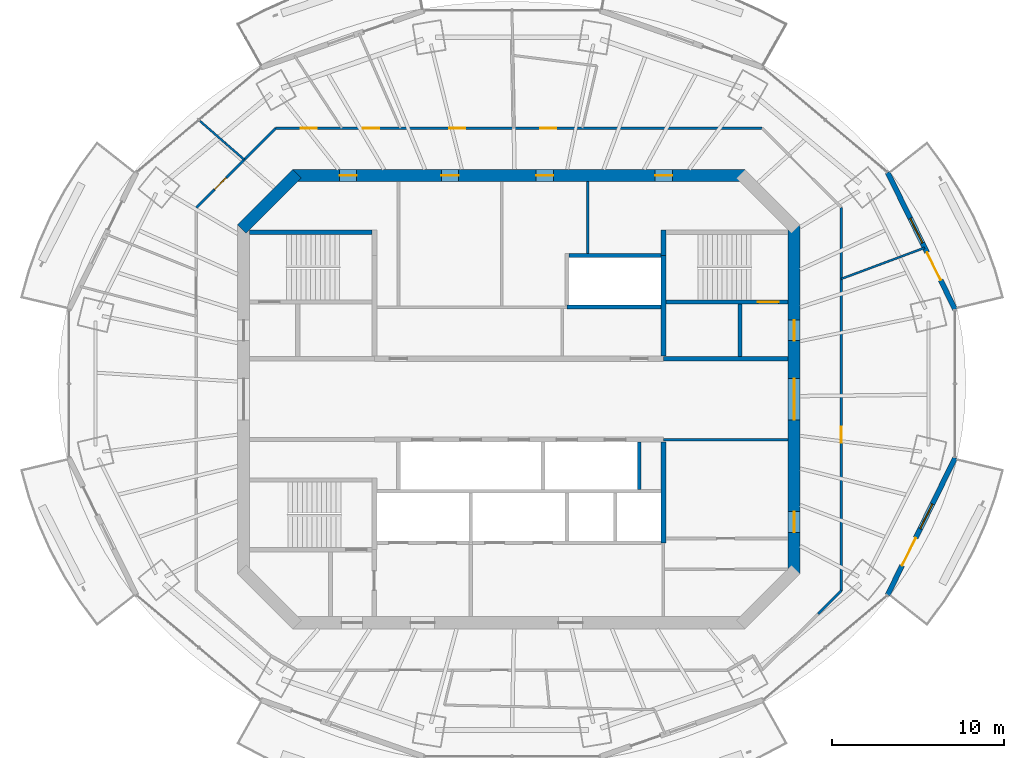
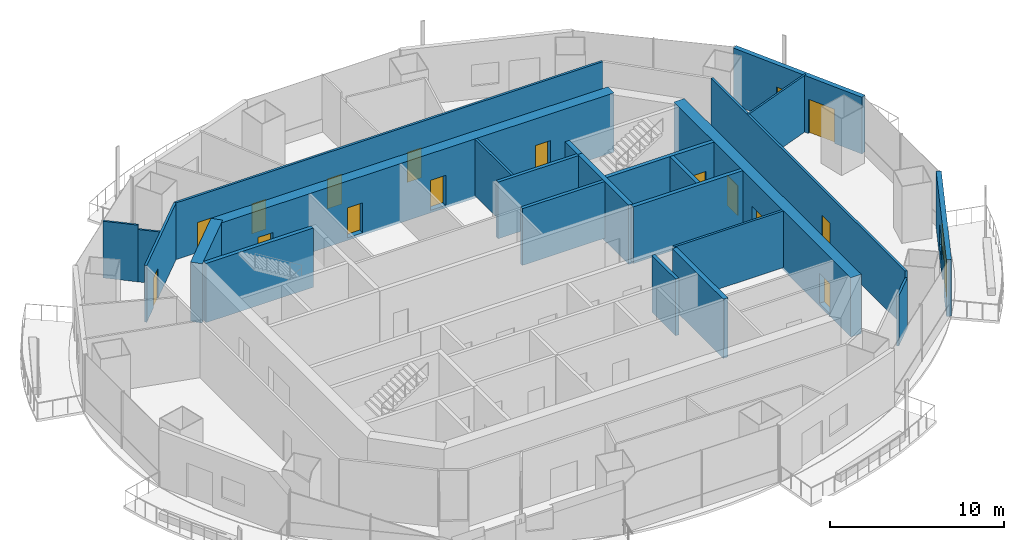
# One storey, part 10 of 16: 24 walls, 16 doors, 2 windows, 18 openings.
"""IFC4 building model written with IfcOpenShell, lengths in metres."""

from ifc_helpers import new_model, si_unit, direction, frame, frame_2d, origin, place, context, subcontext, project, spatial, rectangle, extrude, material, layer, layer_set, type_object, element, fill, save


model = new_model("IFC4")

# Units and contexts
model_context = context("Model", 3, precision=1e-05, world=origin(), true_north=direction((0.0, 1.0)))
body_context = subcontext(model_context, "Body", "Model", "MODEL_VIEW")
ifc_project = project(units=[si_unit("LENGTHUNIT", "METRE"), si_unit("AREAUNIT", "SQUARE_METRE"), si_unit("VOLUMEUNIT", "CUBIC_METRE"), si_unit("PLANEANGLEUNIT", "RADIAN"), si_unit("MASSUNIT", "GRAM", prefix="KILO")], contexts=[model_context])

# Site, building, storey
site_placement = place(None, origin())
site = spatial("IfcSite", under=ifc_project, at=site_placement, CompositionType="ELEMENT")
building_placement = place(site_placement, origin())
building = spatial("IfcBuilding", under=site, at=building_placement, Name="Marenthal Gate Tower", CompositionType="ELEMENT")
storey_placement = place(building_placement, frame((0.0, 0.0, 367.5)))
storey = spatial("IfcBuildingStorey", under=building, at=storey_placement, Name="L83", CompositionType="ELEMENT", Elevation=367.5)

# Wall, openings, doors
ifc_material_1 = material(Name="Concrete 60 MPa", Category="concrete")
ifc_layer_1 = layer(ifc_material_1, 0.699951171875)
ifc_layer_set_1 = layer_set([ifc_layer_1], Name="Core shear wall 700")
wall_type_1 = type_object("IfcWallType", Name="Core shear wall 700", PredefinedType="SHEAR", material=ifc_layer_set_1)
wall_1_placement = place(storey_placement, frame((16.0, -10.14501953125, -0.179931640625), z_axis=(0.0, 0.0, 1.0), x_axis=(0.0, 1.0, 0.0)))
wall_1 = element("IfcWall", 1, at=wall_1_placement, inside=storey, type_object=wall_type_1, Name="Core wall 02", PredefinedType="SHEAR", context=body_context, shape_type="SweptSolid", body=[
    extrude(rectangle(XDim=20.2900390625, YDim=0.699951171875, at=frame_2d((10.14501953125, 0.0))), origin(), (0.0, 0.0, 1.0), 4.14990234375),
])
opening_1_placement = place(wall_1_placement, frame((8.945068359375, 0.0, 0.179931640625)))
opening_1 = element("IfcOpeningElement", 2, at=opening_1_placement, cuts=wall_1, Name="Opening D003.02", PredefinedType="OPENING", context=body_context, shape_type="SweptSolid", body=[
    extrude(rectangle(XDim=2.39990234375, YDim=2.10009765625, at=frame_2d((1.199951171875, 1.050048828125))), frame((0.0, 0.35986328125, 0.0), z_axis=(0.0, -1.0, 0.0), x_axis=(1.0, 0.0, 0.0)), (0.0, 0.0, 1.0), 0.719970703125),
])
opening_2_placement = place(wall_1_placement, frame((13.544921875, 0.0, 0.179931640625)))
opening_2 = element("IfcOpeningElement", 3, at=opening_2_placement, cuts=wall_1, Name="Opening D001.05", PredefinedType="OPENING", context=body_context, shape_type="SweptSolid", body=[
    extrude(rectangle(XDim=1.199951171875, YDim=2.10009765625, at=frame_2d((0.60009765625, 1.050048828125))), frame((0.0, 0.35986328125, 0.0), z_axis=(0.0, -1.0, 0.0), x_axis=(1.0, 0.0, 0.0)), (0.0, 0.0, 1.0), 0.719970703125),
])
opening_3_placement = place(wall_1_placement, frame((2.39990234375, 0.0, 0.179931640625)))
opening_3 = element("IfcOpeningElement", 4, at=opening_3_placement, cuts=wall_1, Name="Opening D006.01", PredefinedType="OPENING", context=body_context, shape_type="SweptSolid", body=[
    extrude(rectangle(XDim=1.199951171875, YDim=2.10009765625, at=frame_2d((0.60009765625, 1.050048828125))), frame((0.0, 0.35986328125, 0.0), z_axis=(0.0, -1.0, 0.0), x_axis=(1.0, 0.0, 0.0)), (0.0, 0.0, 1.0), 0.719970703125),
])
ifc_material_2 = material(Name="Steel fire door", Category="steel")
door_type_1 = type_object("IfcDoorType", Name="Double fire door FD 45 2400 x 2100", OperationType="DOUBLE_DOOR_SINGLE_SWING", PredefinedType="DOOR", material=ifc_material_2)
door_1_placement = place(opening_1_placement, origin())
door_1 = element("IfcDoor", 5, at=door_1_placement, inside=storey, type_object=door_type_1, Name="Door D003.02", OperationType="DOUBLE_DOOR_SINGLE_SWING", OverallHeight=2.10009765625, OverallWidth=2.39990234375, PredefinedType="DOOR", context=body_context, shape_type="SweptSolid", body=[
    extrude(rectangle(XDim=2.39990234375, YDim=2.10009765625, at=frame_2d((1.199951171875, 1.050048828125))), frame((0.0, 0.02490234375, 0.0), z_axis=(0.0, -1.0, 0.0), x_axis=(1.0, 0.0, 0.0)), (0.0, 0.0, 1.0), 0.050048828125),
])
fill(opening_1, door_1)
ifc_material_3 = material(Name="Steel fire door", Category="steel")
door_type_2 = type_object("IfcDoorType", Name="Fire door FD 45 1200 x 2100", OperationType="NOTDEFINED", PredefinedType="DOOR", material=ifc_material_3)
door_2_placement = place(opening_3_placement, origin())
door_2 = element("IfcDoor", 6, at=door_2_placement, inside=storey, type_object=door_type_2, Name="Door D006.01", OperationType="SINGLE_SWING_RIGHT", OverallHeight=2.10009765625, OverallWidth=1.199951171875, PredefinedType="DOOR", context=body_context, shape_type="SweptSolid", body=[
    extrude(rectangle(XDim=1.199951171875, YDim=2.10009765625, at=frame_2d((0.60009765625, 1.050048828125))), frame((0.0, 0.02490234375, 0.0), z_axis=(0.0, -1.0, 0.0), x_axis=(1.0, 0.0, 0.0)), (0.0, 0.0, 1.0), 0.050048828125),
])
fill(opening_3, door_2)
ifc_material_4 = material(Name="Steel fire door", Category="steel")
door_type_3 = type_object("IfcDoorType", Name="Fire door FD 90 1200 x 2100", OperationType="NOTDEFINED", PredefinedType="DOOR", material=ifc_material_4)
door_3_placement = place(opening_2_placement, origin())
door_3 = element("IfcDoor", 7, at=door_3_placement, inside=storey, type_object=door_type_3, Name="Door D001.05", OperationType="SINGLE_SWING_RIGHT", OverallHeight=2.10009765625, OverallWidth=1.199951171875, PredefinedType="DOOR", context=body_context, shape_type="SweptSolid", body=[
    extrude(rectangle(XDim=1.199951171875, YDim=2.10009765625, at=frame_2d((0.60009765625, 1.050048828125))), frame((0.0, 0.02490234375, 0.0), z_axis=(0.0, -1.0, 0.0), x_axis=(1.0, 0.0, 0.0)), (0.0, 0.0, 1.0), 0.050048828125),
])
fill(opening_2, door_3)

wall_2_placement = place(storey_placement, frame((13.14501953125, 13.0, -0.179931640625), z_axis=(0.0, 0.0, 1.0), x_axis=(-1.0, 0.0, 0.0)))
wall_2 = element("IfcWall", 8, at=wall_2_placement, inside=storey, type_object=wall_type_1, Name="Core wall 04", PredefinedType="SHEAR", context=body_context, shape_type="SweptSolid", body=[
    extrude(rectangle(XDim=26.2900390625, YDim=0.699951171875, at=frame_2d((13.14501953125, 0.0))), origin(), (0.0, 0.0, 1.0), 4.14990234375),
])
opening_4_placement = place(wall_2_placement, frame((22.57275390625, 0.0, 0.179931640625)))
opening_4 = element("IfcOpeningElement", 9, at=opening_4_placement, cuts=wall_2, Name="Opening D005.03", PredefinedType="OPENING", context=body_context, shape_type="SweptSolid", body=[
    extrude(rectangle(XDim=1.0, YDim=2.10009765625, at=frame_2d((0.5, 1.050048828125))), frame((0.0, 0.35986328125, 0.0), z_axis=(0.0, -1.0, 0.0), x_axis=(1.0, 0.0, 0.0)), (0.0, 0.0, 1.0), 0.719970703125),
])
opening_5_placement = place(wall_2_placement, frame((16.64501953125, 0.0, 0.179931640625)))
opening_5 = element("IfcOpeningElement", 10, at=opening_5_placement, cuts=wall_2, Name="Opening D005.04", PredefinedType="OPENING", context=body_context, shape_type="SweptSolid", body=[
    extrude(rectangle(XDim=1.0, YDim=2.10009765625, at=frame_2d((0.5, 1.050048828125))), frame((0.0, 0.35986328125, 0.0), z_axis=(0.0, -1.0, 0.0), x_axis=(1.0, 0.0, 0.0)), (0.0, 0.0, 1.0), 0.719970703125),
])
opening_6_placement = place(wall_2_placement, frame((11.14501953125, 0.0, 0.179931640625)))
opening_6 = element("IfcOpeningElement", 11, at=opening_6_placement, cuts=wall_2, Name="Opening D005.05", PredefinedType="OPENING", context=body_context, shape_type="SweptSolid", body=[
    extrude(rectangle(XDim=1.0, YDim=2.10009765625, at=frame_2d((0.5, 1.050048828125))), frame((0.0, 0.35986328125, 0.0), z_axis=(0.0, -1.0, 0.0), x_axis=(1.0, 0.0, 0.0)), (0.0, 0.0, 1.0), 0.719970703125),
])
opening_7_placement = place(wall_2_placement, frame((4.21728515625, 0.0, 0.179931640625)))
opening_7 = element("IfcOpeningElement", 12, at=opening_7_placement, cuts=wall_2, Name="Opening D005.06", PredefinedType="OPENING", context=body_context, shape_type="SweptSolid", body=[
    extrude(rectangle(XDim=1.0, YDim=2.10009765625, at=frame_2d((0.5, 1.050048828125))), frame((0.0, 0.35986328125, 0.0), z_axis=(0.0, -1.0, 0.0), x_axis=(1.0, 0.0, 0.0)), (0.0, 0.0, 1.0), 0.719970703125),
])
ifc_material_5 = material(Name="Steel fire door", Category="steel")
door_type_4 = type_object("IfcDoorType", Name="Fire door FD 45 1000 x 2100", OperationType="NOTDEFINED", PredefinedType="DOOR", material=ifc_material_5)
door_4_placement = place(opening_4_placement, origin())
door_4 = element("IfcDoor", 13, at=door_4_placement, inside=storey, type_object=door_type_4, Name="Door D005.03", OperationType="SINGLE_SWING_RIGHT", OverallHeight=2.10009765625, OverallWidth=1.0, PredefinedType="DOOR", context=body_context, shape_type="SweptSolid", body=[
    extrude(rectangle(XDim=1.0, YDim=2.10009765625, at=frame_2d((0.5, 1.050048828125))), frame((0.0, 0.02490234375, 0.0), z_axis=(0.0, -1.0, 0.0), x_axis=(1.0, 0.0, 0.0)), (0.0, 0.0, 1.0), 0.050048828125),
])
fill(opening_4, door_4)
door_5_placement = place(opening_5_placement, origin())
door_5 = element("IfcDoor", 14, at=door_5_placement, inside=storey, type_object=door_type_4, Name="Door D005.04", OperationType="SINGLE_SWING_RIGHT", OverallHeight=2.10009765625, OverallWidth=1.0, PredefinedType="DOOR", context=body_context, shape_type="SweptSolid", body=[
    extrude(rectangle(XDim=1.0, YDim=2.10009765625, at=frame_2d((0.5, 1.050048828125))), frame((0.0, 0.02490234375, 0.0), z_axis=(0.0, -1.0, 0.0), x_axis=(1.0, 0.0, 0.0)), (0.0, 0.0, 1.0), 0.050048828125),
])
fill(opening_5, door_5)
door_6_placement = place(opening_6_placement, origin())
door_6 = element("IfcDoor", 15, at=door_6_placement, inside=storey, type_object=door_type_4, Name="Door D005.05", OperationType="SINGLE_SWING_RIGHT", OverallHeight=2.10009765625, OverallWidth=1.0, PredefinedType="DOOR", context=body_context, shape_type="SweptSolid", body=[
    extrude(rectangle(XDim=1.0, YDim=2.10009765625, at=frame_2d((0.5, 1.050048828125))), frame((0.0, 0.02490234375, 0.0), z_axis=(0.0, -1.0, 0.0), x_axis=(1.0, 0.0, 0.0)), (0.0, 0.0, 1.0), 0.050048828125),
])
fill(opening_6, door_6)
door_7_placement = place(opening_7_placement, origin())
door_7 = element("IfcDoor", 16, at=door_7_placement, inside=storey, type_object=door_type_4, Name="Door D005.06", OperationType="SINGLE_SWING_RIGHT", OverallHeight=2.10009765625, OverallWidth=1.0, PredefinedType="DOOR", context=body_context, shape_type="SweptSolid", body=[
    extrude(rectangle(XDim=1.0, YDim=2.10009765625, at=frame_2d((0.5, 1.050048828125))), frame((0.0, 0.02490234375, 0.0), z_axis=(0.0, -1.0, 0.0), x_axis=(1.0, 0.0, 0.0)), (0.0, 0.0, 1.0), 0.050048828125),
])
fill(opening_7, door_7)

# Walls
wall_3_placement = place(storey_placement, frame((-12.8974609375, 13.1025390625, -0.179931640625), z_axis=(0.0, 0.0, 1.0), x_axis=(-0.707106781187, -0.707106781187, 0.0)))
element("IfcWall", 17, at=wall_3_placement, inside=storey, type_object=wall_type_1, Name="Core wall 05", PredefinedType="SHEAR", context=body_context, shape_type="SweptSolid", body=[
    extrude(rectangle(XDim=4.53271484375, YDim=0.699951171875, at=frame_2d((2.266357421875, 0.0))), origin(), (0.0, 0.0, 1.0), 4.14990234375),
])
ifc_material_6 = material(Name="Concrete 50 MPa", Category="concrete")
ifc_layer_2 = layer(ifc_material_6, 0.300048828125)
ifc_layer_set_2 = layer_set([ifc_layer_2], Name="Hoistway shear wall 300")
wall_type_2 = type_object("IfcWallType", Name="Hoistway shear wall 300", PredefinedType="SHEAR", material=ifc_layer_set_2)
for number, where, z_axis, x_axis, name in (
    (18, (8.39990234375, -8.35009765625, -0.179931640625), (0.0, 0.0, 1.0), (0.0, 1.0, 0.0), "Hoistway wall 48"),
    (19, (8.39990234375, 2.5, -0.179931640625), (0.0, 0.0, 1.0), (0.0, 1.0, 0.0), "Hoistway wall 49"),
):
    element("IfcWall", number, at=place(storey_placement, frame(where, z_axis=z_axis, x_axis=x_axis)), inside=storey, type_object=wall_type_2, Name=name, PredefinedType="SHEAR", context=body_context, shape_type="SweptSolid", body=[
        extrude(rectangle(XDim=5.85009765625, YDim=0.300048828125, at=frame_2d((2.925048828125, 0.0))), origin(), (0.0, 0.0, 1.0), 4.14990234375),
    ])
ifc_material_7 = material(Name="Concrete 40 MPa", Category="concrete")
ifc_layer_3 = layer(ifc_material_7, 0.219970703125)
ifc_layer_set_3 = layer_set([ifc_layer_3], Name="Hoistway wall 220")
wall_type_3 = type_object("IfcWallType", Name="Hoistway wall 220", PredefinedType="STANDARD", material=ifc_layer_set_3)
wall_4_placement = place(storey_placement, frame((2.800048828125, 5.35009765625, 0.0), z_axis=(0.0, 0.0, 1.0), x_axis=(1.0, 0.0, 0.0)))
element("IfcWall", 20, at=wall_4_placement, inside=storey, type_object=wall_type_3, Name="Hoistway wall 23", PredefinedType="STANDARD", context=body_context, shape_type="SweptSolid", body=[
    extrude(rectangle(XDim=5.449951171875, YDim=0.219970703125, at=frame_2d((2.72509765625, 0.0))), origin(), (0.0, 0.0, 1.0), 3.969970703125),
])
wall_5_placement = place(storey_placement, frame((2.909912109375, 8.35009765625, 0.0), z_axis=(0.0, 0.0, 1.0), x_axis=(1.0, 0.0, 0.0)))
element("IfcWall", 21, at=wall_5_placement, inside=storey, type_object=wall_type_3, Name="Hoistway wall 26", PredefinedType="STANDARD", context=body_context, shape_type="SweptSolid", body=[
    extrude(rectangle(XDim=5.340087890625, YDim=0.219970703125, at=frame_2d((2.669921875, 0.0))), origin(), (0.0, 0.0, 1.0), 3.969970703125),
])
wall_6_placement = place(storey_placement, frame((7.0, -5.239990234375, 0.0), z_axis=(0.0, 0.0, 1.0), x_axis=(0.0, 1.0, 0.0)))
element("IfcWall", 22, at=wall_6_placement, inside=storey, type_object=wall_type_3, Name="Hoistway wall 46", PredefinedType="STANDARD", context=body_context, shape_type="SweptSolid", body=[
    extrude(rectangle(XDim=2.739990234375, YDim=0.219970703125, at=frame_2d((1.3701171875, 0.0))), origin(), (0.0, 0.0, 1.0), 3.969970703125),
])
ifc_material_8 = material(Name="Gypsum board on steel studs", Category="steel")
ifc_layer_4 = layer(ifc_material_8, 0.1201171875)
ifc_layer_set_4 = layer_set([ifc_layer_4], Name="Partition 120")
wall_type_4 = type_object("IfcWallType", Name="Partition 120", PredefinedType="PARTITIONING", material=ifc_layer_set_4)
wall_7_placement = place(storey_placement, frame((-15.965576171875, 13.923583984375, 0.0), z_axis=(0.0, 0.0, 1.0), x_axis=(-0.753703358868, 0.657214764617, 0.0)))
element("IfcWall", 23, at=wall_7_placement, inside=storey, type_object=wall_type_4, Name="Partition wall 56", PredefinedType="PARTITIONING", context=body_context, shape_type="SweptSolid", body=[
    extrude(rectangle(XDim=1.47509765625, YDim=0.1201171875, at=frame_2d((0.737548828125, 0.0))), origin(), (0.0, 0.0, 1.0), 3.66796875),
])
wall_8_placement = place(storey_placement, frame((-17.077392578125, 14.89306640625, 0.0), z_axis=(0.0, 0.0, 1.0), x_axis=(-0.753620755877, 0.6573094829, 0.0)))
element("IfcWall", 24, at=wall_8_placement, inside=storey, type_object=wall_type_4, Name="Partition wall 77", PredefinedType="PARTITIONING", context=body_context, shape_type="SweptSolid", body=[
    extrude(rectangle(XDim=2.04052734375, YDim=0.1201171875, at=frame_2d((1.020263671875, 0.0))), origin(), (0.0, 0.0, 1.0), 3.969970703125),
])
wall_9_placement = place(storey_placement, frame((18.75, 6.995361328125, 0.0), z_axis=(0.0, 0.0, 1.0), x_axis=(0.936919672461, 0.349544742994, 0.0)))
element("IfcWall", 25, at=wall_9_placement, inside=storey, type_object=wall_type_4, Name="Partition wall 75", PredefinedType="PARTITIONING", context=body_context, shape_type="SweptSolid", body=[
    extrude(rectangle(XDim=5.170654296875, YDim=0.1201171875, at=frame_2d((2.58544921875, 0.0))), origin(), (0.0, 0.0, 1.0), 3.969970703125),
])
ifc_material_9 = material(Name="Gypsum board on steel studs", Category="steel")
ifc_layer_5 = layer(ifc_material_9, 0.14990234375)
ifc_layer_set_5 = layer_set([ifc_layer_5], Name="Partition 150")
wall_type_5 = type_object("IfcWallType", Name="Partition 150", PredefinedType="PARTITIONING", material=ifc_layer_set_5)
wall_10_placement = place(storey_placement, frame((8.39990234375, -2.35009765625, 0.0), z_axis=(0.0, 0.0, 1.0), x_axis=(1.0, 0.0, 0.0)))
element("IfcWall", 26, at=wall_10_placement, inside=storey, type_object=wall_type_5, Name="Partition wall 18", PredefinedType="PARTITIONING", context=body_context, shape_type="SweptSolid", body=[
    extrude(rectangle(XDim=7.25, YDim=0.14990234375, at=frame_2d((3.625, 0.0))), origin(), (0.0, 0.0, 1.0), 3.969970703125),
])
wall_11_placement = place(storey_placement, frame((4.0, 8.4599609375, 0.0), z_axis=(0.0, 0.0, 1.0), x_axis=(0.0, 1.0, 0.0)))
element("IfcWall", 27, at=wall_11_placement, inside=storey, type_object=wall_type_5, Name="Partition wall 44", PredefinedType="PARTITIONING", context=body_context, shape_type="SweptSolid", body=[
    extrude(rectangle(XDim=4.18994140625, YDim=0.14990234375, at=frame_2d((2.094970703125, 0.0))), origin(), (0.0, 0.0, 1.0), 3.969970703125),
])

# Wall, opening, door
wall_12_placement = place(storey_placement, frame((-18.75, 11.13916015625, 0.0), z_axis=(0.0, 0.0, 1.0), x_axis=(0.707106781187, 0.707106781187, 0.0)))
wall_12 = element("IfcWall", 28, at=wall_12_placement, inside=storey, type_object=wall_type_5, Name="Partition wall 55", PredefinedType="PARTITIONING", context=body_context, shape_type="SweptSolid", body=[
    extrude(rectangle(XDim=6.520751953125, YDim=0.14990234375, at=frame_2d((3.26025390625, 0.0))), origin(), (0.0, 0.0, 1.0), 3.969970703125),
])
opening_8_placement = place(wall_12_placement, frame((1.493896484375, 0.0, 0.0)))
opening_8 = element("IfcOpeningElement", 29, at=opening_8_placement, cuts=wall_12, Name="Opening D016.05", PredefinedType="OPENING", context=body_context, shape_type="SweptSolid", body=[
    extrude(rectangle(XDim=0.949951171875, YDim=2.10009765625, at=frame_2d((0.47509765625, 1.050048828125))), frame((0.0, 0.0849609375, 0.0), z_axis=(0.0, -1.0, 0.0), x_axis=(1.0, 0.0, 0.0)), (0.0, 0.0, 1.0), 0.169921875),
])
ifc_material_10 = material(Name="Timber door", Category="wood")
door_type_5 = type_object("IfcDoorType", Name="Door 950 x 2100", OperationType="NOTDEFINED", PredefinedType="DOOR", material=ifc_material_10)
door_8_placement = place(opening_8_placement, origin())
door_8 = element("IfcDoor", 30, at=door_8_placement, inside=storey, type_object=door_type_5, Name="Door D016.05", OperationType="SINGLE_SWING_RIGHT", OverallHeight=2.10009765625, OverallWidth=0.949951171875, PredefinedType="DOOR", context=body_context, shape_type="SweptSolid", body=[
    extrude(rectangle(XDim=0.949951171875, YDim=2.10009765625, at=frame_2d((0.47509765625, 1.050048828125))), frame((0.0, 0.02490234375, 0.0), z_axis=(0.0, -1.0, 0.0), x_axis=(1.0, 0.0, 0.0)), (0.0, 0.0, 1.0), 0.050048828125),
])
fill(opening_8, door_8)

# Wall, openings, doors
wall_13_placement = place(storey_placement, frame((-14.13916015625, 15.75, 0.0), z_axis=(0.0, 0.0, 1.0), x_axis=(1.0, 0.0, 0.0)))
wall_13 = element("IfcWall", 31, at=wall_13_placement, inside=storey, type_object=wall_type_5, Name="Partition wall 58", PredefinedType="PARTITIONING", context=body_context, shape_type="SweptSolid", body=[
    extrude(rectangle(XDim=28.2783203125, YDim=0.14990234375, at=frame_2d((14.13916015625, 0.0))), origin(), (0.0, 0.0, 1.0), 3.969970703125),
])
opening_9_placement = place(wall_13_placement, frame((15.3701171875, 0.0, 0.0)))
opening_9 = element("IfcOpeningElement", 32, at=opening_9_placement, cuts=wall_13, Name="Opening D016.01", PredefinedType="OPENING", context=body_context, shape_type="SweptSolid", body=[
    extrude(rectangle(XDim=0.949951171875, YDim=2.10009765625, at=frame_2d((0.47509765625, 1.050048828125))), frame((0.0, 0.0849609375, 0.0), z_axis=(0.0, -1.0, 0.0), x_axis=(1.0, 0.0, 0.0)), (0.0, 0.0, 1.0), 0.169921875),
])
opening_10_placement = place(wall_13_placement, frame((10.0810546875, 0.0, 0.0)))
opening_10 = element("IfcOpeningElement", 33, at=opening_10_placement, cuts=wall_13, Name="Opening D016.02", PredefinedType="OPENING", context=body_context, shape_type="SweptSolid", body=[
    extrude(rectangle(XDim=0.949951171875, YDim=2.10009765625, at=frame_2d((0.47509765625, 1.050048828125))), frame((0.0, 0.0849609375, 0.0), z_axis=(0.0, -1.0, 0.0), x_axis=(1.0, 0.0, 0.0)), (0.0, 0.0, 1.0), 0.169921875),
])
opening_11_placement = place(wall_13_placement, frame((5.075927734375, 0.0, 0.0)))
opening_11 = element("IfcOpeningElement", 34, at=opening_11_placement, cuts=wall_13, Name="Opening D016.03", PredefinedType="OPENING", context=body_context, shape_type="SweptSolid", body=[
    extrude(rectangle(XDim=0.949951171875, YDim=2.10009765625, at=frame_2d((0.47509765625, 1.050048828125))), frame((0.0, 0.0849609375, 0.0), z_axis=(0.0, -1.0, 0.0), x_axis=(1.0, 0.0, 0.0)), (0.0, 0.0, 1.0), 0.169921875),
])
opening_12_placement = place(wall_13_placement, frame((1.449951171875, 0.0, 0.0)))
opening_12 = element("IfcOpeningElement", 35, at=opening_12_placement, cuts=wall_13, Name="Opening D016.04", PredefinedType="OPENING", context=body_context, shape_type="SweptSolid", body=[
    extrude(rectangle(XDim=0.949951171875, YDim=2.10009765625, at=frame_2d((0.47509765625, 1.050048828125))), frame((0.0, 0.0849609375, 0.0), z_axis=(0.0, -1.0, 0.0), x_axis=(1.0, 0.0, 0.0)), (0.0, 0.0, 1.0), 0.169921875),
])
door_9_placement = place(opening_9_placement, origin())
door_9 = element("IfcDoor", 36, at=door_9_placement, inside=storey, type_object=door_type_5, Name="Door D016.01", OperationType="SINGLE_SWING_RIGHT", OverallHeight=2.10009765625, OverallWidth=0.949951171875, PredefinedType="DOOR", context=body_context, shape_type="SweptSolid", body=[
    extrude(rectangle(XDim=0.949951171875, YDim=2.10009765625, at=frame_2d((0.47509765625, 1.050048828125))), frame((0.0, 0.02490234375, 0.0), z_axis=(0.0, -1.0, 0.0), x_axis=(1.0, 0.0, 0.0)), (0.0, 0.0, 1.0), 0.050048828125),
])
fill(opening_9, door_9)
door_10_placement = place(opening_10_placement, origin())
door_10 = element("IfcDoor", 37, at=door_10_placement, inside=storey, type_object=door_type_5, Name="Door D016.02", OperationType="SINGLE_SWING_RIGHT", OverallHeight=2.10009765625, OverallWidth=0.949951171875, PredefinedType="DOOR", context=body_context, shape_type="SweptSolid", body=[
    extrude(rectangle(XDim=0.949951171875, YDim=2.10009765625, at=frame_2d((0.47509765625, 1.050048828125))), frame((0.0, 0.02490234375, 0.0), z_axis=(0.0, -1.0, 0.0), x_axis=(1.0, 0.0, 0.0)), (0.0, 0.0, 1.0), 0.050048828125),
])
fill(opening_10, door_10)
door_11_placement = place(opening_11_placement, origin())
door_11 = element("IfcDoor", 38, at=door_11_placement, inside=storey, type_object=door_type_5, Name="Door D016.03", OperationType="SINGLE_SWING_RIGHT", OverallHeight=2.10009765625, OverallWidth=0.949951171875, PredefinedType="DOOR", context=body_context, shape_type="SweptSolid", body=[
    extrude(rectangle(XDim=0.949951171875, YDim=2.10009765625, at=frame_2d((0.47509765625, 1.050048828125))), frame((0.0, 0.02490234375, 0.0), z_axis=(0.0, -1.0, 0.0), x_axis=(1.0, 0.0, 0.0)), (0.0, 0.0, 1.0), 0.050048828125),
])
fill(opening_11, door_11)
door_12_placement = place(opening_12_placement, origin())
door_12 = element("IfcDoor", 39, at=door_12_placement, inside=storey, type_object=door_type_5, Name="Door D016.04", OperationType="SINGLE_SWING_RIGHT", OverallHeight=2.10009765625, OverallWidth=0.949951171875, PredefinedType="DOOR", context=body_context, shape_type="SweptSolid", body=[
    extrude(rectangle(XDim=0.949951171875, YDim=2.10009765625, at=frame_2d((0.47509765625, 1.050048828125))), frame((0.0, 0.02490234375, 0.0), z_axis=(0.0, -1.0, 0.0), x_axis=(1.0, 0.0, 0.0)), (0.0, 0.0, 1.0), 0.050048828125),
])
fill(opening_12, door_12)

# Wall
wall_14_placement = place(storey_placement, frame((18.75, -11.13916015625, 0.0), z_axis=(0.0, 0.0, 1.0), x_axis=(-0.708259565957, -0.705952113978, 0.0)))
element("IfcWall", 40, at=wall_14_placement, inside=storey, type_object=wall_type_5, Name="Partition wall 74", PredefinedType="PARTITIONING", context=body_context, shape_type="SweptSolid", body=[
    extrude(rectangle(XDim=1.904541015625, YDim=0.14990234375, at=frame_2d((0.9521484375, 0.0))), origin(), (0.0, 0.0, 1.0), 3.512939453125),
])

# Wall, opening, door
wall_15_placement = place(storey_placement, frame((18.75, 11.13916015625, 0.0), z_axis=(0.0, 0.0, 1.0), x_axis=(0.0, -1.0, 0.0)))
wall_15 = element("IfcWall", 41, at=wall_15_placement, inside=storey, type_object=wall_type_5, Name="Partition wall 76", PredefinedType="PARTITIONING", context=body_context, shape_type="SweptSolid", body=[
    extrude(rectangle(XDim=22.2783203125, YDim=0.14990234375, at=frame_2d((11.13916015625, 0.0))), origin(), (0.0, 0.0, 1.0), 3.969970703125),
])
opening_13_placement = place(wall_15_placement, frame((12.736083984375, 0.0, 0.0)))
opening_13 = element("IfcOpeningElement", 42, at=opening_13_placement, cuts=wall_15, Name="Opening D016.08", PredefinedType="OPENING", context=body_context, shape_type="SweptSolid", body=[
    extrude(rectangle(XDim=0.949951171875, YDim=2.10009765625, at=frame_2d((0.47509765625, 1.050048828125))), frame((0.0, 0.0849609375, 0.0), z_axis=(0.0, -1.0, 0.0), x_axis=(1.0, 0.0, 0.0)), (0.0, 0.0, 1.0), 0.169921875),
])
door_13_placement = place(opening_13_placement, origin())
door_13 = element("IfcDoor", 43, at=door_13_placement, inside=storey, type_object=door_type_5, Name="Door D016.08", OperationType="SINGLE_SWING_RIGHT", OverallHeight=2.10009765625, OverallWidth=0.949951171875, PredefinedType="DOOR", context=body_context, shape_type="SweptSolid", body=[
    extrude(rectangle(XDim=0.949951171875, YDim=2.10009765625, at=frame_2d((0.47509765625, 1.050048828125))), frame((0.0, 0.02490234375, 0.0), z_axis=(0.0, -1.0, 0.0), x_axis=(1.0, 0.0, 0.0)), (0.0, 0.0, 1.0), 0.050048828125),
])
fill(opening_13, door_13)

# Walls
ifc_material_11 = material(Name="Concrete 40 MPa", Category="concrete")
ifc_layer_6 = layer(ifc_material_11, 0.25)
ifc_layer_set_6 = layer_set([ifc_layer_6], Name="Stair enclosure wall 250")
wall_type_6 = type_object("IfcWallType", Name="Stair enclosure wall 250", PredefinedType="STANDARD", material=ifc_layer_set_6)
wall_16_placement = place(storey_placement, frame((8.39990234375, 2.35009765625, 0.0), z_axis=(0.0, 0.0, 1.0), x_axis=(1.0, 0.0, 0.0)))
element("IfcWall", 44, at=wall_16_placement, inside=storey, type_object=wall_type_6, Name="Stair wall 21", PredefinedType="STANDARD", context=body_context, shape_type="SweptSolid", body=[
    extrude(rectangle(XDim=7.25, YDim=0.25, at=frame_2d((3.625, 0.0))), origin(), (0.0, 0.0, 1.0), 3.969970703125),
])
wall_17_placement = place(storey_placement, frame((12.85009765625, 2.47509765625, 0.0), z_axis=(0.0, 0.0, 1.0), x_axis=(0.0, 1.0, 0.0)))
element("IfcWall", 45, at=wall_17_placement, inside=storey, type_object=wall_type_6, Name="Stair wall 51", PredefinedType="STANDARD", context=body_context, shape_type="SweptSolid", body=[
    extrude(rectangle(XDim=3.0498046875, YDim=0.25, at=frame_2d((1.52490234375, 0.0))), origin(), (0.0, 0.0, 1.0), 3.969970703125),
])

# Wall, opening, door
ifc_material_12 = material(Name="Concrete 50 MPa", Category="concrete")
ifc_layer_7 = layer(ifc_material_12, 0.25)
ifc_layer_set_7 = layer_set([ifc_layer_7], Name="Stair shear wall 250")
wall_type_7 = type_object("IfcWallType", Name="Stair shear wall 250", PredefinedType="SHEAR", material=ifc_layer_set_7)
wall_18_placement = place(storey_placement, frame((8.550048828125, 5.64990234375, -0.179931640625), z_axis=(0.0, 0.0, 1.0), x_axis=(1.0, 0.0, 0.0)))
wall_18 = element("IfcWall", 46, at=wall_18_placement, inside=storey, type_object=wall_type_7, Name="Stair wall 25", PredefinedType="SHEAR", context=body_context, shape_type="SweptSolid", body=[
    extrude(rectangle(XDim=7.099853515625, YDim=0.25, at=frame_2d((3.5498046875, 0.0))), origin(), (0.0, 0.0, 1.0), 4.14990234375),
])
opening_14_placement = place(wall_18_placement, frame((5.35009765625, 0.0, 0.179931640625)))
opening_14 = element("IfcOpeningElement", 47, at=opening_14_placement, cuts=wall_18, Name="Opening D001.02", PredefinedType="OPENING", context=body_context, shape_type="SweptSolid", body=[
    extrude(rectangle(XDim=1.199951171875, YDim=2.10009765625, at=frame_2d((0.60009765625, 1.050048828125))), frame((0.0, 0.135009765625, 0.0), z_axis=(0.0, -1.0, 0.0), x_axis=(1.0, 0.0, 0.0)), (0.0, 0.0, 1.0), 0.27001953125),
])
door_14_placement = place(opening_14_placement, origin())
door_14 = element("IfcDoor", 48, at=door_14_placement, inside=storey, type_object=door_type_3, Name="Door D001.02", OperationType="SINGLE_SWING_RIGHT", OverallHeight=2.10009765625, OverallWidth=1.199951171875, PredefinedType="DOOR", context=body_context, shape_type="SweptSolid", body=[
    extrude(rectangle(XDim=1.199951171875, YDim=2.10009765625, at=frame_2d((0.60009765625, 1.050048828125))), frame((0.0, 0.02490234375, 0.0), z_axis=(0.0, -1.0, 0.0), x_axis=(1.0, 0.0, 0.0)), (0.0, 0.0, 1.0), 0.050048828125),
])
fill(opening_14, door_14)

# Walls
wall_19_placement = place(storey_placement, frame((-15.64990234375, 9.699951171875, -0.179931640625), z_axis=(0.0, 0.0, 1.0), x_axis=(1.0, 0.0, 0.0)))
element("IfcWall", 49, at=wall_19_placement, inside=storey, type_object=wall_type_7, Name="Stair wall 27", PredefinedType="SHEAR", context=body_context, shape_type="SweptSolid", body=[
    extrude(rectangle(XDim=7.099853515625, YDim=0.25, at=frame_2d((3.5498046875, 0.0))), origin(), (0.0, 0.0, 1.0), 4.14990234375),
])
ifc_material_13 = material(Name="Concrete 50 MPa", Category="concrete")
ifc_layer_8 = layer(ifc_material_13, 0.300048828125)
ifc_layer_set_8 = layer_set([ifc_layer_8], Name="Stair shear wall 300")
wall_type_8 = type_object("IfcWallType", Name="Stair shear wall 300", PredefinedType="SHEAR", material=ifc_layer_set_8)
wall_20_placement = place(storey_placement, frame((8.39990234375, 8.35009765625, -0.179931640625), z_axis=(0.0, 0.0, 1.0), x_axis=(0.0, 1.0, 0.0)))
element("IfcWall", 50, at=wall_20_placement, inside=storey, type_object=wall_type_8, Name="Stair wall 50", PredefinedType="SHEAR", context=body_context, shape_type="SweptSolid", body=[
    extrude(rectangle(XDim=1.474853515625, YDim=0.300048828125, at=frame_2d((0.7373046875, 0.0))), origin(), (0.0, 0.0, 1.0), 4.14990234375),
])

# Wall, openings, door, window
ifc_material_14 = material(Name="Terracotta cladding on insulated concrete-block backing", Category="masonry")
ifc_layer_9 = layer(ifc_material_14, 0.300048828125)
ifc_layer_set_9 = layer_set([ifc_layer_9], Name="Terracotta facade wall 300")
wall_type_9 = type_object("IfcWallType", Name="Terracotta facade wall 300", PredefinedType="SOLIDWALL", material=ifc_layer_set_9)
wall_21_placement = place(storey_placement, frame((25.3603515625, 5.213623046875, 0.0), z_axis=(0.0, 0.0, 1.0), x_axis=(-0.441487983718, 0.897267162128, 0.0)))
wall_21 = element("IfcWall", 51, at=wall_21_placement, inside=storey, type_object=wall_type_9, Name="Terracotta facade wall L83 bay 1", PredefinedType="SOLIDWALL", context=body_context, shape_type="SweptSolid", body=[
    extrude(rectangle(XDim=8.88330078125, YDim=0.300048828125, at=frame_2d((4.441650390625, 0.0))), origin(), (0.0, 0.0, 1.0), 3.969970703125),
])
opening_15_placement = place(wall_21_placement, frame((1.89990234375, 0.0, 0.0)))
opening_15 = element("IfcOpeningElement", 52, at=opening_15_placement, cuts=wall_21, Name="Opening BD-L83-01", PredefinedType="OPENING", context=body_context, shape_type="SweptSolid", body=[
    extrude(rectangle(XDim=1.800048828125, YDim=2.39990234375, at=frame_2d((0.89990234375, 1.199951171875))), frame((0.0, 0.16015625, 0.0), z_axis=(0.0, -1.0, 0.0), x_axis=(1.0, 0.0, 0.0)), (0.0, 0.0, 1.0), 0.320068359375),
])
opening_16_placement = place(wall_21_placement, frame((4.300048828125, 0.0, 0.89990234375)))
opening_16 = element("IfcOpeningElement", 53, at=opening_16_placement, cuts=wall_21, Name="Opening WN3-L83-01", PredefinedType="OPENING", context=body_context, shape_type="SweptSolid", body=[
    extrude(rectangle(XDim=1.60009765625, YDim=1.5, at=frame_2d((0.800048828125, 0.75))), frame((0.0, 0.16015625, 0.0), z_axis=(0.0, -1.0, 0.0), x_axis=(1.0, 0.0, 0.0)), (0.0, 0.0, 1.0), 0.320068359375),
])
ifc_material_15 = material(Name="Aluminium and glass", Category="aluminium")
door_type_6 = type_object("IfcDoorType", Name="Balcony door 1800x2400", OperationType="DOUBLE_DOOR_SINGLE_SWING", PredefinedType="DOOR", material=ifc_material_15)
door_15_placement = place(opening_15_placement, origin())
door_15 = element("IfcDoor", 54, at=door_15_placement, inside=storey, type_object=door_type_6, Name="Balcony door L83 bay 1", OperationType="SINGLE_SWING_LEFT", OverallHeight=2.39990234375, OverallWidth=1.800048828125, PredefinedType="DOOR", context=body_context, shape_type="SweptSolid", body=[
    extrude(rectangle(XDim=1.800048828125, YDim=2.39990234375, at=frame_2d((0.89990234375, 1.199951171875))), frame((0.0, 0.02490234375, 0.0), z_axis=(0.0, -1.0, 0.0), x_axis=(1.0, 0.0, 0.0)), (0.0, 0.0, 1.0), 0.050048828125),
])
fill(opening_15, door_15)
ifc_material_16 = material(Name="Aluminium and glass", Category="aluminium")
window_type = type_object("IfcWindowType", Name="Window 1600x1500", PartitioningType="DOUBLE_PANEL_VERTICAL", PredefinedType="WINDOW", material=ifc_material_16)
window_1_placement = place(opening_16_placement, origin())
window_1 = element("IfcWindow", 55, at=window_1_placement, inside=storey, type_object=window_type, Name="Window L83 bay 1", OverallHeight=1.5, OverallWidth=1.60009765625, PartitioningType="SINGLE_PANEL", PredefinedType="WINDOW", context=body_context, shape_type="SweptSolid", body=[
    extrude(rectangle(XDim=1.60009765625, YDim=1.5, at=frame_2d((0.800048828125, 0.75))), frame((0.0, 0.030029296875, 0.0), z_axis=(0.0, -1.0, 0.0), x_axis=(1.0, 0.0, 0.0)), (0.0, 0.0, 1.0), 0.06005859375),
])
fill(opening_16, window_1)

wall_22_placement = place(storey_placement, frame((21.4384765625, -11.38427734375, 0.0), z_axis=(0.0, 0.0, 1.0), x_axis=(0.441487983718, 0.897267162128, 0.0)))
wall_22 = element("IfcWall", 56, at=wall_22_placement, inside=storey, type_object=wall_type_9, Name="Terracotta facade wall L83 bay 15", PredefinedType="SOLIDWALL", context=body_context, shape_type="SweptSolid", body=[
    extrude(rectangle(XDim=8.88330078125, YDim=0.300048828125, at=frame_2d((4.441650390625, 0.0))), origin(), (0.0, 0.0, 1.0), 3.969970703125),
])
opening_17_placement = place(wall_22_placement, frame((1.89990234375, 0.0, 0.0)))
opening_17 = element("IfcOpeningElement", 57, at=opening_17_placement, cuts=wall_22, Name="Opening BD-L83-15", PredefinedType="OPENING", context=body_context, shape_type="SweptSolid", body=[
    extrude(rectangle(XDim=1.800048828125, YDim=2.39990234375, at=frame_2d((0.89990234375, 1.199951171875))), frame((0.0, 0.16015625, 0.0), z_axis=(0.0, -1.0, 0.0), x_axis=(1.0, 0.0, 0.0)), (0.0, 0.0, 1.0), 0.320068359375),
])
opening_18_placement = place(wall_22_placement, frame((4.300048828125, 0.0, 0.89990234375)))
opening_18 = element("IfcOpeningElement", 58, at=opening_18_placement, cuts=wall_22, Name="Opening WN3-L83-15", PredefinedType="OPENING", context=body_context, shape_type="SweptSolid", body=[
    extrude(rectangle(XDim=1.60009765625, YDim=1.5, at=frame_2d((0.800048828125, 0.75))), frame((0.0, 0.16015625, 0.0), z_axis=(0.0, -1.0, 0.0), x_axis=(1.0, 0.0, 0.0)), (0.0, 0.0, 1.0), 0.320068359375),
])
door_16_placement = place(opening_17_placement, origin())
door_16 = element("IfcDoor", 59, at=door_16_placement, inside=storey, type_object=door_type_6, Name="Balcony door L83 bay 15", OperationType="SINGLE_SWING_LEFT", OverallHeight=2.39990234375, OverallWidth=1.800048828125, PredefinedType="DOOR", context=body_context, shape_type="SweptSolid", body=[
    extrude(rectangle(XDim=1.800048828125, YDim=2.39990234375, at=frame_2d((0.89990234375, 1.199951171875))), frame((0.0, 0.02490234375, 0.0), z_axis=(0.0, -1.0, 0.0), x_axis=(1.0, 0.0, 0.0)), (0.0, 0.0, 1.0), 0.050048828125),
])
fill(opening_17, door_16)
window_2_placement = place(opening_18_placement, origin())
window_2 = element("IfcWindow", 60, at=window_2_placement, inside=storey, type_object=window_type, Name="Window L83 bay 15", OverallHeight=1.5, OverallWidth=1.60009765625, PartitioningType="SINGLE_PANEL", PredefinedType="WINDOW", context=body_context, shape_type="SweptSolid", body=[
    extrude(rectangle(XDim=1.60009765625, YDim=1.5, at=frame_2d((0.800048828125, 0.75))), frame((0.0, 0.030029296875, 0.0), z_axis=(0.0, -1.0, 0.0), x_axis=(1.0, 0.0, 0.0)), (0.0, 0.0, 1.0), 0.06005859375),
])
fill(opening_18, window_2)

save(model, "model.ifc")
